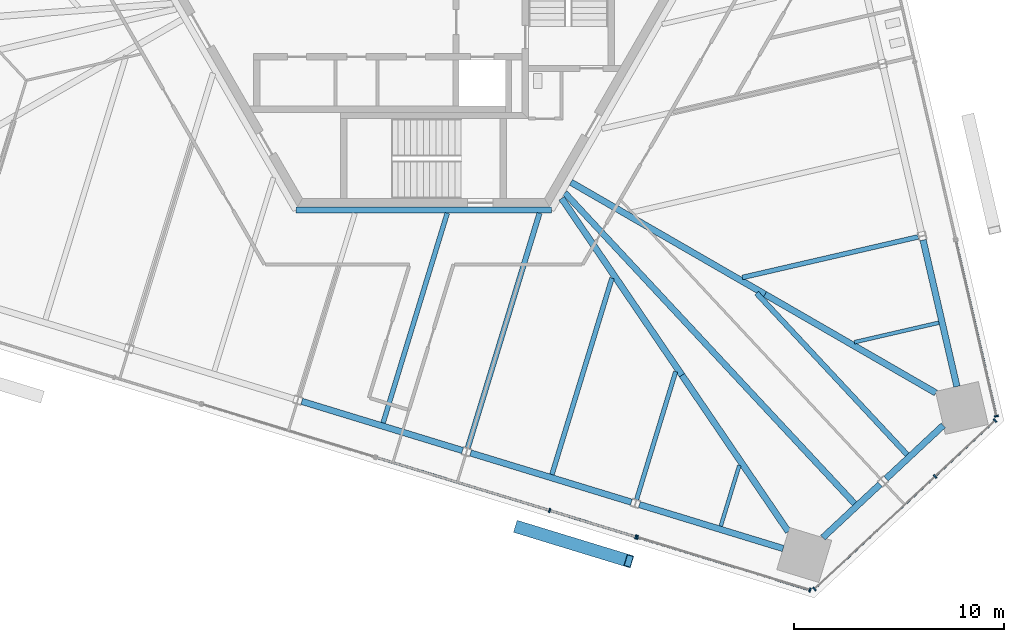
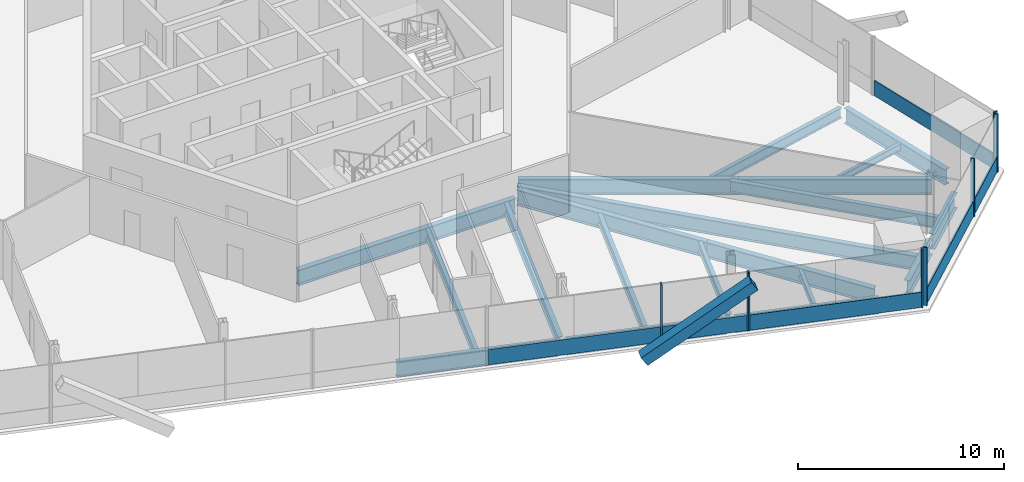
# One storey, part 5 of 17: 20 beams, 15 members, 4 elements without a shape of their own.
"""IFC4 building model written with IfcOpenShell, lengths in metres."""

import ifcopenshell
import ifcopenshell.guid

model = None  # the IFC model being written
_history = None  # IfcOwnerHistory: only IFC2X3 demands one
_inside = {}  # id of a spatial element -> (the spatial element, [elements in it])
_under = {}  # id of a project, library or spatial element -> (it, [spatial elements below it])
_declared = {}  # id of a project -> (the project, [libraries it declares])
_typed = {}  # id of a type object -> (the type object, [elements of that type])
_made_of = {}  # id of a material, layer set ... -> (it, [elements and type objects made of it])


def new_model(schema):
    """Start an empty IFC model of exactly this schema.

    Asked for "IFC4X3", IfcOpenShell would pick the latest addendum, in which some entities
    have other attributes; the version numbers below select the first issue.
    IFC2X3 requires an IfcOwnerHistory on every rooted entity: one is made here for all.
    """
    global model, _history
    if schema == "IFC4X3":
        model = ifcopenshell.file(schema_version=(4, 3, 0, 0))
    else:
        model = ifcopenshell.file(schema=schema)
    _inside.clear()
    _under.clear()
    _declared.clear()
    _typed.clear()
    _made_of.clear()
    _history = None
    if model.schema == "IFC2X3":
        org = make("IfcOrganization", Name="unknown")
        user = make(
            "IfcPersonAndOrganization",
            ThePerson=make("IfcPerson", FamilyName="unknown"),
            TheOrganization=org,
        )
        app = make(
            "IfcApplication",
            ApplicationDeveloper=org,
            Version="unknown",
            ApplicationFullName="unknown",
            ApplicationIdentifier="unknown",
        )
        _history = make(
            "IfcOwnerHistory",
            OwningUser=user,
            OwningApplication=app,
            ChangeAction="ADDED",
            CreationDate=0,
        )
    return model


def make(cls, **values):
    """One entity of the class cls with the attributes given. An attribute that is None is left unset."""
    return model.create_entity(
        cls, **{name: value for name, value in values.items() if value is not None}
    )


def rooted(cls, **values):
    """An entity with a GlobalId (a new one), such as an element, a storey or a relation."""
    return make(cls, GlobalId=ifcopenshell.guid.new(), OwnerHistory=_history, **values)


def si_unit(unit_type, name, prefix=None):
    """IfcSIUnit, for example si_unit("LENGTHUNIT", "METRE", prefix="MILLI")."""
    return make("IfcSIUnit", UnitType=unit_type, Prefix=prefix, Name=name)


def assignment(units):
    """IfcUnitAssignment: the units of a project."""
    return None if units is None else make("IfcUnitAssignment", Units=units)


def point(xyz):
    """IfcCartesianPoint."""
    return None if xyz is None else make("IfcCartesianPoint", Coordinates=xyz)


def direction(xyz):
    """IfcDirection."""
    return None if xyz is None else make("IfcDirection", DirectionRatios=xyz)


def frame(location, z_axis=None, x_axis=None):
    """IfcAxis2Placement3D, a coordinate frame: its origin and axes. An axis left out is left unset."""
    return make(
        "IfcAxis2Placement3D",
        Location=point(location),
        Axis=direction(z_axis),
        RefDirection=direction(x_axis),
    )


def frame_2d(location, x_axis=None):
    """IfcAxis2Placement2D, a coordinate frame in the plane: its origin and x axis."""
    return make(
        "IfcAxis2Placement2D", Location=point(location), RefDirection=direction(x_axis)
    )


def origin():
    """The frame at (0, 0, 0) with its axes left unset."""
    return frame((0.0, 0.0, 0.0))


def origin_2d():
    """The frame at (0, 0) in the plane with its x axis left unset."""
    return frame_2d((0.0, 0.0))


def place(relative_to, where):
    """IfcLocalPlacement: puts the frame where relative to a parent placement (None: the world)."""
    return make(
        "IfcLocalPlacement", PlacementRelTo=relative_to, RelativePlacement=where
    )


def context(
    kind, dimensions, precision=None, world=None, true_north=None, identifier=None
):
    """IfcGeometricRepresentationContext, for example the 3D "Model" context."""
    return make(
        "IfcGeometricRepresentationContext",
        ContextIdentifier=identifier,
        ContextType=kind,
        CoordinateSpaceDimension=dimensions,
        Precision=precision,
        WorldCoordinateSystem=world,
        TrueNorth=true_north,
    )


def subcontext(parent, identifier, kind, view, scale=None):
    """IfcGeometricRepresentationSubContext, for example "Body" below "Model"."""
    return make(
        "IfcGeometricRepresentationSubContext",
        ContextIdentifier=identifier,
        ContextType=kind,
        ParentContext=parent,
        TargetScale=scale,
        TargetView=view,
    )


def project(units=None, contexts=None):
    """IfcProject with its units and contexts."""
    return rooted(
        "IfcProject",
        Name="project",
        RepresentationContexts=contexts,
        UnitsInContext=assignment(units),
    )


def spatial(cls, under=None, at=None, **own):
    """A site, building, storey or space (cls), placed at a placement, below another one or the project."""
    s = rooted(cls, ObjectPlacement=at, **own)
    if under is not None:
        _under.setdefault(under.id(), (under, []))[1].append(s)
    return s


def profile(cls, at=None, kind="AREA", **sizes):
    """A parametric profile (cls). Its sizes go by their IFC names, for example OverallWidth=200.0."""
    return make(cls, ProfileType=kind, Position=at, **sizes)


def rectangle(**sizes):
    """IfcRectangleProfileDef."""
    return profile("IfcRectangleProfileDef", **sizes)


def hollow_rectangle(**sizes):
    """IfcRectangleHollowProfileDef."""
    return profile("IfcRectangleHollowProfileDef", **sizes)


def i_section(**sizes):
    """IfcIShapeProfileDef."""
    return profile("IfcIShapeProfileDef", **sizes)


def extrude(swept, where, along, depth):
    """IfcExtrudedAreaSolid: the profile swept, set in the frame where, extruded along a direction by depth."""
    return make(
        "IfcExtrudedAreaSolid",
        SweptArea=swept,
        Position=where,
        ExtrudedDirection=direction(along),
        Depth=depth,
    )


def shape(context_of_items, identifier, shape_type, items):
    """IfcShapeRepresentation: the items that make up one representation, for example the "Body"."""
    return make(
        "IfcShapeRepresentation",
        ContextOfItems=context_of_items,
        RepresentationIdentifier=identifier,
        RepresentationType=shape_type,
        Items=items,
    )


def source(mapping_origin, context_of_items, identifier, shape_type, items):
    """IfcRepresentationMap: a shape defined once, which mapped items show again and again."""
    return make(
        "IfcRepresentationMap",
        MappingOrigin=mapping_origin,
        MappedRepresentation=shape(context_of_items, identifier, shape_type, items),
    )


def transform(
    local_origin,
    x_axis=None,
    y_axis=None,
    z_axis=None,
    scale=None,
    scale2=None,
    scale3=None,
    uniform=True,
):
    """IfcCartesianTransformationOperator3D, or its non-uniform kind. x_axis, y_axis, z_axis: its Axis1, 2, 3."""
    if uniform:
        return make(
            "IfcCartesianTransformationOperator3D",
            Axis1=direction(x_axis),
            Axis2=direction(y_axis),
            LocalOrigin=point(local_origin),
            Scale=scale,
            Axis3=direction(z_axis),
        )
    return make(
        "IfcCartesianTransformationOperator3DnonUniform",
        Axis1=direction(x_axis),
        Axis2=direction(y_axis),
        LocalOrigin=point(local_origin),
        Scale=scale,
        Axis3=direction(z_axis),
        Scale2=scale2,
        Scale3=scale3,
    )


def mapped(mapping_source, mapping_target):
    """IfcMappedItem: shows the shape of a source again, moved by a transform."""
    return make(
        "IfcMappedItem", MappingSource=mapping_source, MappingTarget=mapping_target
    )


def material(Name=None, Category=None):
    """IfcMaterial."""
    return make("IfcMaterial", Name=Name, Category=Category)


def material_profile(
    of_material, cross_section, Name=None, Category=None, Priority=None
):
    """IfcMaterialProfile: a cross section and its material."""
    return make(
        "IfcMaterialProfile",
        Name=Name,
        Material=of_material,
        Profile=cross_section,
        Priority=Priority,
        Category=Category,
    )


def profile_set(profiles, Name=None, composite=None):
    """IfcMaterialProfileSet."""
    return make(
        "IfcMaterialProfileSet",
        Name=Name,
        MaterialProfiles=profiles,
        CompositeProfile=composite,
    )


def made_of(thing, what):
    """Note that an element or type object is made of a material, layer set ...; save() writes the relation."""
    if what is not None:
        _made_of.setdefault(what.id(), (what, []))[1].append(thing)
    return thing


def type_object(cls, material=None, **own):
    """A type object (cls), such as IfcWallType, which elements share."""
    return made_of(rooted(cls, **own), material)


def element(
    cls,
    number,
    at=None,
    inside=None,
    cuts=None,
    type_object=None,
    material=None,
    context=None,
    identifier="Body",
    shape_type=None,
    held_by="IfcProductDefinitionShape",
    body=None,
    shapes=None,
    **own,
):
    """One element of the class cls, such as IfcWall. Its Tag is "e" and its number.

    at: its placement. inside: the storey or other place that contains it. cuts: it is an
    opening in that element (IfcRelVoidsElement). A single representation is given by context,
    identifier, shape_type and body (its items); several are given by shapes. held_by: the class
    of the entity that holds the representations. save() writes the other relations.
    """
    e = rooted(cls, Tag="e%d" % number, ObjectPlacement=at, **own)
    if body is not None:
        shapes = [shape(context, identifier, shape_type, body)]
    if shapes is not None:
        e.Representation = make(held_by, Representations=shapes)
    if inside is not None:
        _inside.setdefault(inside.id(), (inside, []))[1].append(e)
    if cuts is not None:
        rooted(
            "IfcRelVoidsElement", RelatingBuildingElement=cuts, RelatedOpeningElement=e
        )
    if type_object is not None:
        _typed.setdefault(type_object.id(), (type_object, []))[1].append(e)
    return made_of(e, material)


def aggregate(whole, parts):
    """IfcRelAggregates: a whole, such as a stair, and the parts it consists of."""
    return rooted("IfcRelAggregates", RelatingObject=whole, RelatedObjects=parts)


def save(model, path):
    """Write the relations noted so far, then the file.

    IfcRelAggregates (storeys below a building ...), IfcRelContainedInSpatialStructure (elements
    in a storey), IfcRelDefinesByType, IfcRelAssociatesMaterial and IfcRelDeclares: one each for
    every whole, place, type object, material and project.
    """
    for whole, parts in _under.values():
        aggregate(whole, parts)
    for where, things in _inside.values():
        rooted(
            "IfcRelContainedInSpatialStructure",
            RelatedElements=things,
            RelatingStructure=where,
        )
    for kind, things in _typed.values():
        rooted("IfcRelDefinesByType", RelatedObjects=things, RelatingType=kind)
    for what, things in _made_of.values():
        rooted("IfcRelAssociatesMaterial", RelatedObjects=things, RelatingMaterial=what)
    for by, libraries in _declared.values():
        rooted("IfcRelDeclares", RelatingContext=by, RelatedDefinitions=libraries)
    model.write(path)


model = new_model("IFC4")

# Units and contexts
model_context = context("Model", 3, precision=1e-05, world=origin(), true_north=direction((0.0, 1.0)))
body_context = subcontext(model_context, "Body", "Model", "MODEL_VIEW")
ifc_project = project(units=[si_unit("LENGTHUNIT", "METRE"), si_unit("AREAUNIT", "SQUARE_METRE"), si_unit("VOLUMEUNIT", "CUBIC_METRE"), si_unit("PLANEANGLEUNIT", "RADIAN"), si_unit("MASSUNIT", "GRAM", prefix="KILO")], contexts=[model_context])

# Site, building, storey
site_placement = place(None, origin())
site = spatial("IfcSite", under=ifc_project, at=site_placement, CompositionType="ELEMENT")
building_placement = place(site_placement, origin())
building = spatial("IfcBuilding", under=site, at=building_placement, Name="Triune Harvest Tower", CompositionType="ELEMENT")
storey_placement = place(building_placement, frame((0.0, 0.0, 123.5)))
storey = spatial("IfcBuildingStorey", under=building, at=storey_placement, Name="L31", CompositionType="ELEMENT", Elevation=123.5)

# Curtain wall, member
ifc_material_1 = material(Name="Aluminium bronze anodised", Category="aluminium")
curtain_wall_type_1 = type_object("IfcCurtainWallType", Name="CW-1 Tower stick curtain wall", PredefinedType="NOTDEFINED", material=ifc_material_1)
curtain_wall_1_placement = place(storey_placement, origin())
curtain_wall_1 = element("IfcCurtainWall", 1, at=curtain_wall_1_placement, inside=storey, type_object=curtain_wall_type_1, Name="CW-1 B3-F5 L31 run 4001")
ifc_material_2 = material(Name="Aluminium bronze anodised", Category="aluminium")
ifc_material_profile_1 = material_profile(ifc_material_2, rectangle(XDim=0.090087890625, YDim=0.89990234375, at=origin_2d()), Name="TR-1 transom 90 x 900")
ifc_profile_set_1 = profile_set([ifc_material_profile_1], Name="Aluminium bronze anodised")
member_type_1 = type_object("IfcMemberType", Name="TR-1 transom 90 x 900", PredefinedType="USERDEFINED", material=ifc_profile_set_1)
member_1_placement = place(storey_placement, frame((10.2275390625, -26.157470703125, 0.449951171875), z_axis=(0.956307996175, -0.292361106256, 0.0), x_axis=(0.292361106256, 0.956307996175, 0.0)))
member_1 = element("IfcMember", 2, at=member_1_placement, type_object=member_type_1, Name="CW-1 transom B3-F5 4001.1", ObjectType="TRANSOM", PredefinedType="USERDEFINED", context=body_context, shape_type="SweptSolid", body=[
    extrude(rectangle(XDim=0.090087890625, YDim=0.89990234375, at=origin_2d()), origin(), (0.0, 0.0, 1.0), 8.52685546875),
])

# Beams
ifc_material_3 = material(Name="Steel ASTM A992 Gr 50", Category="steel")
ifc_material_profile_2 = material_profile(ifc_material_3, i_section(OverallWidth=0.3046875, OverallDepth=0.914306640625, WebThickness=0.0166015625, FlangeThickness=0.02587890625, at=origin_2d()), Name="W36x160")
ifc_profile_set_2 = profile_set([ifc_material_profile_2], Name="Steel ASTM A992 Gr 50")
beam_type_1 = type_object("IfcBeamType", Name="CG-1 Core ring girder W36x160", PredefinedType="BEAM", material=ifc_profile_set_2)
shared_shape_1 = source(origin(), body_context, "Body", "SweptSolid", [
    extrude(i_section(OverallWidth=0.3046875, OverallDepth=0.914306640625, WebThickness=0.0166015625, FlangeThickness=0.02587890625, at=origin_2d()), origin(), (0.0, 0.0, 1.0), 12.17578125),
])
beam_1_placement = place(storey_placement, frame((-6.087890625, -10.544677734375, -0.6171875), z_axis=(1.0, 0.0, 0.0), x_axis=(0.0, 1.0, 0.0)))
element("IfcBeam", 3, at=beam_1_placement, inside=storey, type_object=beam_type_1, Name="beam/L31/CG5", PredefinedType="BEAM", context=body_context, shape_type="MappedRepresentation", body=[
    mapped(shared_shape_1, transform((0.0, 0.0, 0.0), scale=1.0)),
])
ifc_material_4 = material(Name="Steel ASTM A992 Gr 50", Category="steel")
ifc_material_profile_3 = material_profile(ifc_material_4, i_section(OverallWidth=0.307373046875, OverallDepth=0.922119140625, WebThickness=0.018310546875, FlangeThickness=0.030029296875, at=origin_2d()), Name="W36x182")
ifc_profile_set_3 = profile_set([ifc_material_profile_3], Name="Steel ASTM A992 Gr 50")
beam_type_2 = type_object("IfcBeamType", Name="HG-2 Hip girder W36x182", PredefinedType="BEAM", material=ifc_profile_set_3)
shared_shape_2 = source(origin(), body_context, "Body", "SweptSolid", [
    extrude(i_section(OverallWidth=0.307373046875, OverallDepth=0.922119140625, WebThickness=0.018310546875, FlangeThickness=0.030029296875, at=origin_2d()), origin(), (0.0, 0.0, 1.0), 10.681640625),
])
beam_2_placement = place(storey_placement, frame((16.27587890625, -14.56640625, -0.62109375), z_axis=(-0.866023441189, 0.500003399299, 0.0), x_axis=(-0.500003399299, -0.866023441189, 0.0)))
element("IfcBeam", 4, at=beam_2_placement, inside=storey, type_object=beam_type_2, Name="beam/L31/HG2", PredefinedType="BEAM", context=body_context, shape_type="MappedRepresentation", body=[
    mapped(shared_shape_2, transform((0.0, 0.0, 0.0), scale=1.0)),
])
shared_shape_3 = source(origin(), body_context, "Body", "SweptSolid", [
    extrude(i_section(OverallWidth=0.307373046875, OverallDepth=0.922119140625, WebThickness=0.018310546875, FlangeThickness=0.030029296875, at=origin_2d()), origin(), (0.0, 0.0, 1.0), 10.194091796875),
])
beam_3_placement = place(storey_placement, frame((12.31640625, -18.4208984375, -0.62109375), z_axis=(-0.562397141719, 0.826867253545, 0.0), x_axis=(-0.826867253545, -0.562397141719, 0.0)))
element("IfcBeam", 5, at=beam_3_placement, inside=storey, type_object=beam_type_2, Name="beam/L31/HG8", PredefinedType="BEAM", context=body_context, shape_type="MappedRepresentation", body=[
    mapped(shared_shape_3, transform((0.0, 0.0, 0.0), scale=1.0)),
])
ifc_material_5 = material(Name="Steel ASTM A992 Gr 50", Category="steel")
ifc_material_profile_4 = material_profile(ifc_material_5, i_section(OverallWidth=0.3046875, OverallDepth=0.914306640625, WebThickness=0.0166015625, FlangeThickness=0.02587890625, at=origin_2d()), Name="W36x160")
ifc_profile_set_4 = profile_set([ifc_material_profile_4], Name="Steel ASTM A992 Gr 50")
beam_type_3 = type_object("IfcBeamType", Name="SB-1 Spandrel beam W36x160", PredefinedType="SPANDREL", material=ifc_profile_set_4)
shared_shape_4 = source(origin(), body_context, "Body", "SweptSolid", [
    extrude(i_section(OverallWidth=0.3046875, OverallDepth=0.914306640625, WebThickness=0.0166015625, FlangeThickness=0.02587890625, at=origin_2d()), origin(), (0.0, 0.0, 1.0), 7.166259765625),
])
beam_4_placement = place(storey_placement, frame((25.42236328125, -18.96044921875, -0.6171875), z_axis=(-0.224949077026, 0.974370521283, 0.0), x_axis=(-0.974370521283, -0.224949077026, 0.0)))
element("IfcBeam", 6, at=beam_4_placement, inside=storey, type_object=beam_type_3, Name="beam/L31/SB1", PredefinedType="SPANDREL", context=body_context, shape_type="MappedRepresentation", body=[
    mapped(shared_shape_4, transform((0.0, 0.0, 0.0), scale=1.0)),
])
shared_shape_5 = source(origin(), body_context, "Body", "SweptSolid", [
    extrude(i_section(OverallWidth=0.3046875, OverallDepth=0.914306640625, WebThickness=0.0166015625, FlangeThickness=0.02587890625, at=origin_2d()), origin(), (0.0, 0.0, 1.0), 8.018310546875),
])
beam_5_placement = place(storey_placement, frame((-5.805908203125, -19.66748046875, -0.6171875), z_axis=(0.956308069579, -0.292360866152, 0.0), x_axis=(0.292360866152, 0.956308069579, 0.0)))
element("IfcBeam", 7, at=beam_5_placement, inside=storey, type_object=beam_type_3, Name="beam/L31/SB20", PredefinedType="SPANDREL", context=body_context, shape_type="MappedRepresentation", body=[
    mapped(shared_shape_5, transform((0.0, 0.0, 0.0), scale=1.0)),
])
shared_shape_6 = source(origin(), body_context, "Body", "SweptSolid", [
    extrude(i_section(OverallWidth=0.3046875, OverallDepth=0.914306640625, WebThickness=0.0166015625, FlangeThickness=0.02587890625, at=origin_2d()), origin(), (0.0, 0.0, 1.0), 8.01806640625),
])
beam_6_placement = place(storey_placement, frame((2.240966796875, -22.127685546875, -0.6171875), z_axis=(0.956305466934, -0.292369379231, 0.0), x_axis=(0.292369379231, 0.956305466934, 0.0)))
element("IfcBeam", 8, at=beam_6_placement, inside=storey, type_object=beam_type_3, Name="beam/L31/SB21", PredefinedType="SPANDREL", context=body_context, shape_type="MappedRepresentation", body=[
    mapped(shared_shape_6, transform((0.0, 0.0, 0.0), scale=1.0)),
])
shared_shape_7 = source(origin(), body_context, "Body", "SweptSolid", [
    extrude(i_section(OverallWidth=0.3046875, OverallDepth=0.914306640625, WebThickness=0.0166015625, FlangeThickness=0.02587890625, at=origin_2d()), origin(), (0.0, 0.0, 1.0), 7.16650390625),
])
beam_7_placement = place(storey_placement, frame((10.287841796875, -24.587646484375, -0.6171875), z_axis=(0.956296811344, -0.292397689137, 0.0), x_axis=(0.292397689137, 0.956296811344, 0.0)))
element("IfcBeam", 9, at=beam_7_placement, inside=storey, type_object=beam_type_3, Name="beam/L31/SB22", PredefinedType="SPANDREL", context=body_context, shape_type="MappedRepresentation", body=[
    mapped(shared_shape_7, transform((0.0, 0.0, 0.0), scale=1.0)),
])
shared_shape_8 = source(origin(), body_context, "Body", "SweptSolid", [
    extrude(i_section(OverallWidth=0.3046875, OverallDepth=0.914306640625, WebThickness=0.0166015625, FlangeThickness=0.02587890625, at=origin_2d()), origin(), (0.0, 0.0, 1.0), 3.72607421875),
])
beam_8_placement = place(storey_placement, frame((19.03173828125, -26.1630859375, -0.6171875), z_axis=(0.731344988612, 0.682007703499, 0.0), x_axis=(-0.682007703499, 0.731344988612, 0.0)))
element("IfcBeam", 10, at=beam_8_placement, inside=storey, type_object=beam_type_3, Name="beam/L31/SB23", PredefinedType="SPANDREL", context=body_context, shape_type="MappedRepresentation", body=[
    mapped(shared_shape_8, transform((0.0, 0.0, 0.0), scale=1.0)),
])
shared_shape_9 = source(origin(), body_context, "Body", "SweptSolid", [
    extrude(i_section(OverallWidth=0.3046875, OverallDepth=0.914306640625, WebThickness=0.0166015625, FlangeThickness=0.02587890625, at=origin_2d()), origin(), (0.0, 0.0, 1.0), 3.726318359375),
])
beam_9_placement = place(storey_placement, frame((22.046630859375, -23.351806640625, -0.6171875), z_axis=(0.731375462482, 0.681975023647, 0.0), x_axis=(-0.681975023647, 0.731375462482, 0.0)))
element("IfcBeam", 11, at=beam_9_placement, inside=storey, type_object=beam_type_3, Name="beam/L31/SB24", PredefinedType="SPANDREL", context=body_context, shape_type="MappedRepresentation", body=[
    mapped(shared_shape_9, transform((0.0, 0.0, 0.0), scale=1.0)),
])
shared_shape_10 = source(origin(), body_context, "Body", "SweptSolid", [
    extrude(i_section(OverallWidth=0.307373046875, OverallDepth=0.922119140625, WebThickness=0.018310546875, FlangeThickness=0.030029296875, at=origin_2d()), origin(), (0.0, 0.0, 1.0), 9.3984375),
])
beam_10_placement = place(storey_placement, frame((24.415283203125, -19.265625, -0.62109375), z_axis=(-0.866028560268, 0.49999453277, 0.0), x_axis=(-0.49999453277, -0.866028560268, 0.0)))
element("IfcBeam", 12, at=beam_10_placement, inside=storey, type_object=beam_type_2, Name="beam/L31/HG1", PredefinedType="BEAM", context=body_context, shape_type="MappedRepresentation", body=[
    mapped(shared_shape_10, transform((0.0, 0.0, 0.0), scale=1.0)),
])
shared_shape_11 = source(origin(), body_context, "Body", "SweptSolid", [
    extrude(i_section(OverallWidth=0.307373046875, OverallDepth=0.922119140625, WebThickness=0.018310546875, FlangeThickness=0.030029296875, at=origin_2d()), origin(), (0.0, 0.0, 1.0), 9.0166015625),
])
beam_11_placement = place(storey_placement, frame((17.3876953125, -25.876220703125, -0.62109375), z_axis=(-0.562436658991, 0.826840374331, 0.0), x_axis=(-0.826840374331, -0.562436658991, 0.0)))
element("IfcBeam", 13, at=beam_11_placement, inside=storey, type_object=beam_type_2, Name="beam/L31/HG7", PredefinedType="BEAM", context=body_context, shape_type="MappedRepresentation", body=[
    mapped(shared_shape_11, transform((0.0, 0.0, 0.0), scale=1.0)),
])
ifc_material_6 = material(Name="Steel ASTM A992 Gr 50", Category="steel")
ifc_material_profile_5 = material_profile(ifc_material_6, i_section(OverallWidth=0.180908203125, OverallDepth=0.41650390625, WebThickness=0.010986328125, FlangeThickness=0.01806640625, at=origin_2d()), Name="W16x57")
ifc_profile_set_5 = profile_set([ifc_material_profile_5], Name="Steel ASTM A992 Gr 50")
beam_type_4 = type_object("IfcBeamType", Name="JT-1 Floor joist W16x57", PredefinedType="JOIST", material=ifc_profile_set_5)
shared_shape_12 = source(origin(), body_context, "Body", "SweptSolid", [
    extrude(i_section(OverallWidth=0.180908203125, OverallDepth=0.41650390625, WebThickness=0.010986328125, FlangeThickness=0.01806640625, at=origin_2d()), origin(), (0.0, 0.0, 1.0), 4.1337890625),
])
beam_12_placement = place(storey_placement, frame((24.563720703125, -15.91845703125, -0.368408203125), z_axis=(-0.974368296684, -0.224958712697, 0.0), x_axis=(0.224958712697, -0.974368296684, 0.0)))
element("IfcBeam", 14, at=beam_12_placement, inside=storey, type_object=beam_type_4, Name="beam/L31/JT1", PredefinedType="JOIST", context=body_context, shape_type="MappedRepresentation", body=[
    mapped(shared_shape_12, transform((0.0, 0.0, 0.0), scale=1.0)),
])
ifc_material_7 = material(Name="Steel ASTM A992 Gr 50", Category="steel")
ifc_material_profile_6 = material_profile(ifc_material_7, i_section(OverallWidth=0.22900390625, OverallDepth=0.612060546875, WebThickness=0.011962890625, FlangeThickness=0.01953125, at=origin_2d()), Name="W24x84")
ifc_profile_set_6 = profile_set([ifc_material_profile_6], Name="Steel ASTM A992 Gr 50")
beam_type_5 = type_object("IfcBeamType", Name="JT-3 Floor joist W24x84", PredefinedType="JOIST", material=ifc_profile_set_6)
shared_shape_13 = source(origin(), body_context, "Body", "SweptSolid", [
    extrude(i_section(OverallWidth=0.22900390625, OverallDepth=0.612060546875, WebThickness=0.011962890625, FlangeThickness=0.01953125, at=origin_2d()), origin(), (0.0, 0.0, 1.0), 8.607421875),
])
beam_13_placement = place(storey_placement, frame((23.580078125, -11.82763671875, -0.466064453125), z_axis=(-0.97436872252, -0.224956868255, 0.0), x_axis=(0.224956868255, -0.97436872252, 0.0)))
element("IfcBeam", 15, at=beam_13_placement, inside=storey, type_object=beam_type_5, Name="beam/L31/JT2", PredefinedType="JOIST", context=body_context, shape_type="MappedRepresentation", body=[
    mapped(shared_shape_13, transform((0.0, 0.0, 0.0), scale=1.0)),
])
shared_shape_14 = source(origin(), body_context, "Body", "SweptSolid", [
    extrude(i_section(OverallWidth=0.22900390625, OverallDepth=0.612060546875, WebThickness=0.011962890625, FlangeThickness=0.01953125, at=origin_2d()), origin(), (0.0, 0.0, 1.0), 10.45361328125),
])
beam_14_placement = place(storey_placement, frame((-1.92724609375, -20.69384765625, -0.466064453125), z_axis=(0.29235559587, 0.956309680785, 0.0), x_axis=(-0.956309680785, 0.29235559587, 0.0)))
element("IfcBeam", 16, at=beam_14_placement, inside=storey, type_object=beam_type_5, Name="beam/L31/JT33", PredefinedType="JOIST", context=body_context, shape_type="MappedRepresentation", body=[
    mapped(shared_shape_14, transform((0.0, 0.0, 0.0), scale=1.0)),
])
shared_shape_15 = source(origin(), body_context, "Body", "SweptSolid", [
    extrude(i_section(OverallWidth=0.22900390625, OverallDepth=0.612060546875, WebThickness=0.011962890625, FlangeThickness=0.01953125, at=origin_2d()), origin(), (0.0, 0.0, 1.0), 9.790283203125),
])
beam_15_placement = place(storey_placement, frame((6.119384765625, -23.154052734375, -0.466064453125), z_axis=(0.292383884863, 0.956301032036, 0.0), x_axis=(-0.956301032036, 0.292383884863, 0.0)))
element("IfcBeam", 17, at=beam_15_placement, inside=storey, type_object=beam_type_5, Name="beam/L31/JT35", PredefinedType="JOIST", context=body_context, shape_type="MappedRepresentation", body=[
    mapped(shared_shape_15, transform((0.0, 0.0, 0.0), scale=1.0)),
])
ifc_material_8 = material(Name="Steel ASTM A992 Gr 50", Category="steel")
ifc_material_profile_7 = material_profile(ifc_material_8, i_section(OverallWidth=0.253662109375, OverallDepth=0.683349609375, WebThickness=0.012451171875, FlangeThickness=0.01904296875, at=origin_2d()), Name="W27x94")
ifc_profile_set_7 = profile_set([ifc_material_profile_7], Name="Steel ASTM A992 Gr 50")
beam_type_6 = type_object("IfcBeamType", Name="JT-4 Floor joist W27x94", PredefinedType="JOIST", material=ifc_profile_set_7)
shared_shape_16 = source(origin(), body_context, "Body", "SweptSolid", [
    extrude(i_section(OverallWidth=0.253662109375, OverallDepth=0.683349609375, WebThickness=0.012451171875, FlangeThickness=0.01904296875, at=origin_2d()), origin(), (0.0, 0.0, 1.0), 11.70166015625),
])
beam_16_placement = place(storey_placement, frame((2.107177734375, -21.887451171875, -0.501708984375), z_axis=(0.292381788251, 0.956301673061, 0.0), x_axis=(-0.956301673061, 0.292381788251, 0.0)))
element("IfcBeam", 18, at=beam_16_placement, inside=storey, type_object=beam_type_6, Name="beam/L31/JT34", PredefinedType="JOIST", context=body_context, shape_type="MappedRepresentation", body=[
    mapped(shared_shape_16, transform((0.0, 0.0, 0.0), scale=1.0)),
])
ifc_material_9 = material(Name="Steel ASTM A992 Gr 50", Category="steel")
ifc_material_profile_8 = material_profile(ifc_material_9, i_section(OverallWidth=0.2099609375, OverallDepth=0.535888671875, WebThickness=0.010986328125, FlangeThickness=0.017333984375, at=origin_2d()), Name="W21x68")
ifc_profile_set_8 = profile_set([ifc_material_profile_8], Name="Steel ASTM A992 Gr 50")
beam_type_7 = type_object("IfcBeamType", Name="JT-2 Floor joist W21x68", PredefinedType="JOIST", material=ifc_profile_set_8)
shared_shape_17 = source(origin(), body_context, "Body", "SweptSolid", [
    extrude(i_section(OverallWidth=0.2099609375, OverallDepth=0.535888671875, WebThickness=0.010986328125, FlangeThickness=0.017333984375, at=origin_2d()), origin(), (0.0, 0.0, 1.0), 6.3720703125),
])
beam_17_placement = place(storey_placement, frame((10.154052734375, -24.34765625, -0.427978515625), z_axis=(0.292370379947, 0.956305160986, 0.0), x_axis=(-0.956305160986, 0.292370379947, 0.0)))
element("IfcBeam", 19, at=beam_17_placement, inside=storey, type_object=beam_type_7, Name="beam/L31/JT36", PredefinedType="JOIST", context=body_context, shape_type="MappedRepresentation", body=[
    mapped(shared_shape_17, transform((0.0, 0.0, 0.0), scale=1.0)),
])
ifc_material_10 = material(Name="Steel ASTM A992 Gr 50", Category="steel")
ifc_material_profile_9 = material_profile(ifc_material_10, i_section(OverallWidth=0.2919921875, OverallDepth=0.8583984375, WebThickness=0.01708984375, FlangeThickness=0.031005859375, at=origin_2d()), Name="W33x169")
ifc_profile_set_9 = profile_set([ifc_material_profile_9], Name="Steel ASTM A992 Gr 50")
beam_type_8 = type_object("IfcBeamType", Name="JT-7 Floor joist W33x169", PredefinedType="JOIST", material=ifc_profile_set_9)
shared_shape_18 = source(origin(), body_context, "Body", "SweptSolid", [
    extrude(i_section(OverallWidth=0.2919921875, OverallDepth=0.8583984375, WebThickness=0.01708984375, FlangeThickness=0.031005859375, at=origin_2d()), origin(), (0.0, 0.0, 1.0), 20.25244140625),
])
beam_18_placement = place(storey_placement, frame((20.545654296875, -24.54296875, -0.58935546875), z_axis=(-0.681993474081, 0.73135825784, 0.0), x_axis=(-0.73135825784, -0.681993474081, 0.0)))
element("IfcBeam", 20, at=beam_18_placement, inside=storey, type_object=beam_type_8, Name="beam/L31/JT38", PredefinedType="JOIST", context=body_context, shape_type="MappedRepresentation", body=[
    mapped(shared_shape_18, transform((0.0, 0.0, 0.0), scale=1.0)),
])
shared_shape_19 = source(origin(), body_context, "Body", "SweptSolid", [
    extrude(i_section(OverallWidth=0.253662109375, OverallDepth=0.683349609375, WebThickness=0.012451171875, FlangeThickness=0.01904296875, at=origin_2d()), origin(), (0.0, 0.0, 1.0), 10.52294921875),
])
beam_19_placement = place(storey_placement, frame((23.05029296875, -22.20751953125, -0.501708984375), z_axis=(-0.682013989315, 0.731339126793, 0.0), x_axis=(-0.731339126793, -0.682013989315, 0.0)))
element("IfcBeam", 21, at=beam_19_placement, inside=storey, type_object=beam_type_6, Name="beam/L31/JT39", PredefinedType="JOIST", context=body_context, shape_type="MappedRepresentation", body=[
    mapped(shared_shape_19, transform((0.0, 0.0, 0.0), scale=1.0)),
])
shared_shape_20 = source(origin(), body_context, "Body", "SweptSolid", [
    extrude(i_section(OverallWidth=0.180908203125, OverallDepth=0.41650390625, WebThickness=0.010986328125, FlangeThickness=0.01806640625, at=origin_2d()), origin(), (0.0, 0.0, 1.0), 3.030029296875),
])
beam_20_placement = place(storey_placement, frame((14.166259765625, -25.614013671875, -0.368408203125), z_axis=(0.2923925234, 0.956298390807, 0.0), x_axis=(-0.956298390807, 0.2923925234, 0.0)))
element("IfcBeam", 22, at=beam_20_placement, inside=storey, type_object=beam_type_4, Name="beam/L31/JT37", PredefinedType="JOIST", context=body_context, shape_type="MappedRepresentation", body=[
    mapped(shared_shape_20, transform((0.0, 0.0, 0.0), scale=1.0)),
])

# Member
ifc_material_11 = material(Name="Steel ASTM A572 Gr 50", Category="steel")
ifc_material_profile_10 = material_profile(ifc_material_11, hollow_rectangle(XDim=0.60009765625, YDim=0.60009765625, WallThickness=0.0400390625, at=origin_2d()), Name="Box 600x600x40")
ifc_profile_set_10 = profile_set([ifc_material_profile_10], Name="Steel ASTM A572 Gr 50")
member_type_2 = type_object("IfcMemberType", Name="BR-2 Brace Box 600x600x40", PredefinedType="BRACE", material=ifc_profile_set_10)
shared_shape_21 = source(origin(), body_context, "Body", "SweptSolid", [
    extrude(hollow_rectangle(XDim=0.60009765625, YDim=0.60009765625, WallThickness=0.0400390625, at=origin_2d()), origin(), (0.0, 0.0, 1.0), 6.566650390625),
])
member_2_placement = place(storey_placement, frame((4.53271484375, -25.671142578125, 0.0), z_axis=(0.799767909278, -0.244529475121, 0.548248690912), x_axis=(0.292389077488, 0.956299444403, 0.0)))
element("IfcMember", 23, at=member_2_placement, inside=storey, type_object=member_type_2, Name="brace/B3-F5/d1/8", PredefinedType="BRACE", context=body_context, shape_type="MappedRepresentation", body=[
    mapped(shared_shape_21, transform((0.0, 0.0, 0.0), scale=1.0)),
])

# Curtain wall, member
curtain_wall_2_placement = place(storey_placement, origin())
curtain_wall_2 = element("IfcCurtainWall", 24, at=curtain_wall_2_placement, inside=storey, type_object=curtain_wall_type_1, Name="CW-1 B3-F1 L31 run 1")
ifc_material_12 = material(Name="Aluminium bronze anodised", Category="aluminium")
ifc_material_profile_11 = material_profile(ifc_material_12, rectangle(XDim=0.199951171875, YDim=0.074951171875, at=origin_2d()), Name="MU-1 mullion 75 x 200")
ifc_profile_set_11 = profile_set([ifc_material_profile_11], Name="Aluminium bronze anodised")
member_type_3 = type_object("IfcMemberType", Name="MU-1 mullion 75 x 200", PredefinedType="MULLION", material=ifc_profile_set_11)
shared_shape_22 = source(origin(), body_context, "Body", "SweptSolid", [
    extrude(rectangle(XDim=0.199951171875, YDim=0.074951171875, at=origin_2d()), origin(), (0.0, 0.0, 1.0), 3.43994140625),
])
member_3_placement = place(storey_placement, frame((27.306884765625, -20.3720703125, 0.0), z_axis=(0.0, 0.0, 1.0), x_axis=(-0.974369461134, -0.224953669027, 0.0)))
member_3 = element("IfcMember", 25, at=member_3_placement, type_object=member_type_3, Name="CW-1 mullion B3-F1 1.1", PredefinedType="MULLION", context=body_context, shape_type="MappedRepresentation", body=[
    mapped(shared_shape_22, transform((0.0, 0.0, 0.0), scale=1.0)),
])

# Curtain wall, members
ifc_material_13 = material(Name="Aluminium bronze anodised", Category="aluminium")
curtain_wall_type_2 = type_object("IfcCurtainWallType", Name="CW-7 Tower stick curtain wall with insulated spandrel infill", PredefinedType="NOTDEFINED", material=ifc_material_13)
curtain_wall_3_placement = place(storey_placement, origin())
curtain_wall_3 = element("IfcCurtainWall", 26, at=curtain_wall_3_placement, inside=storey, type_object=curtain_wall_type_2, Name="CW-7 B3-F5 L31 run 3001")
member_4_placement = place(storey_placement, frame((6.007080078125, -24.8671875, 0.0), z_axis=(0.0, 0.0, 1.0), x_axis=(0.292368447621, 0.956305751753, 0.0)))
member_4 = element("IfcMember", 27, at=member_4_placement, type_object=member_type_3, Name="CW-7 mullion B3-F5 3001.3", PredefinedType="MULLION", context=body_context, shape_type="MappedRepresentation", body=[
    mapped(shared_shape_22, transform((0.0, 0.0, 0.0), scale=1.0)),
])
member_5_placement = place(storey_placement, frame((10.1201171875, -26.12451171875, 0.0), z_axis=(0.0, 0.0, 1.0), x_axis=(0.292368447621, 0.956305751753, 0.0)))
member_5 = element("IfcMember", 28, at=member_5_placement, type_object=member_type_3, Name="CW-7 mullion B3-F5 3001.4", PredefinedType="MULLION", context=body_context, shape_type="MappedRepresentation", body=[
    mapped(shared_shape_22, transform((0.0, 0.0, 0.0), scale=1.0)),
])

# Member
member_6_placement = place(storey_placement, frame((10.191650390625, -26.146484375, 0.0), z_axis=(0.0, 0.0, 1.0), x_axis=(0.292376502084, 0.956303289249, 0.0)))
member_6 = element("IfcMember", 29, at=member_6_placement, type_object=member_type_3, Name="CW-1 mullion B3-F5 4001.1", PredefinedType="MULLION", context=body_context, shape_type="MappedRepresentation", body=[
    mapped(shared_shape_22, transform((0.0, 0.0, 0.0), scale=1.0)),
])

member_7_placement = place(storey_placement, frame((18.417724609375, -28.661376953125, 0.0), z_axis=(0.0, 0.0, 1.0), x_axis=(0.292376502084, 0.956303289249, 0.0)))
member_7 = element("IfcMember", 30, at=member_7_placement, type_object=member_type_3, Name="CW-1 mullion B3-F5 4001.3", PredefinedType="MULLION", context=body_context, shape_type="MappedRepresentation", body=[
    mapped(shared_shape_22, transform((0.0, 0.0, 0.0), scale=1.0)),
])

aggregate(curtain_wall_1, [member_6, member_7, member_1])

# Curtain wall, members
curtain_wall_4_placement = place(storey_placement, origin())
curtain_wall_4 = element("IfcCurtainWall", 31, at=curtain_wall_4_placement, inside=storey, type_object=curtain_wall_type_1, Name="CW-1 B3-F6 L31 run 1")
member_8_placement = place(storey_placement, frame((18.6328125, -28.61181640625, 0.0), z_axis=(0.0, 0.0, 1.0), x_axis=(-0.682002387287, 0.731349946151, 0.0)))
member_8 = element("IfcMember", 32, at=member_8_placement, type_object=member_type_3, Name="CW-1 mullion B3-F6 1.1", PredefinedType="MULLION", context=body_context, shape_type="MappedRepresentation", body=[
    mapped(shared_shape_22, transform((0.0, 0.0, 0.0), scale=1.0)),
])
member_9_placement = place(storey_placement, frame((24.381591796875, -23.2509765625, 0.0), z_axis=(0.0, 0.0, 1.0), x_axis=(-0.682002387287, 0.731349946151, 0.0)))
member_9 = element("IfcMember", 33, at=member_9_placement, type_object=member_type_3, Name="CW-1 mullion B3-F6 1.3", PredefinedType="MULLION", context=body_context, shape_type="MappedRepresentation", body=[
    mapped(shared_shape_22, transform((0.0, 0.0, 0.0), scale=1.0)),
])
member_10_placement = place(storey_placement, frame((27.2421875, -20.583251953125, 0.0), z_axis=(0.0, 0.0, 1.0), x_axis=(-0.682002387287, 0.731349946151, 0.0)))
member_10 = element("IfcMember", 34, at=member_10_placement, type_object=member_type_3, Name="CW-1 mullion B3-F6 1.4", PredefinedType="MULLION", context=body_context, shape_type="MappedRepresentation", body=[
    mapped(shared_shape_22, transform((0.0, 0.0, 0.0), scale=1.0)),
])
shared_shape_23 = source(origin(), body_context, "Body", "SweptSolid", [
    extrude(rectangle(XDim=0.090087890625, YDim=0.89990234375, at=origin_2d()), origin(), (0.0, 0.0, 1.0), 7.78564453125),
])
member_11_placement = place(storey_placement, frame((18.66015625, -28.586181640625, 0.449951171875), z_axis=(0.731354473546, 0.681997532271, 0.0), x_axis=(-0.681997532271, 0.731354473546, 0.0)))
member_11 = element("IfcMember", 35, at=member_11_placement, type_object=member_type_1, Name="CW-1 transom B3-F6 1.1", ObjectType="TRANSOM", PredefinedType="USERDEFINED", context=body_context, shape_type="MappedRepresentation", body=[
    mapped(shared_shape_23, transform((0.0, 0.0, 0.0), scale=1.0)),
])
shared_shape_24 = source(origin(), body_context, "Body", "SweptSolid", [
    extrude(rectangle(XDim=0.090087890625, YDim=0.89990234375, at=origin_2d()), origin(), (0.0, 0.0, 1.0), 3.83642578125),
])
member_12_placement = place(storey_placement, frame((24.408935546875, -23.225341796875, 0.449951171875), z_axis=(0.73136626704, 0.681984885049, 0.0), x_axis=(-0.681984885049, 0.73136626704, 0.0)))
member_12 = element("IfcMember", 36, at=member_12_placement, type_object=member_type_1, Name="CW-1 transom B3-F6 1.2", ObjectType="TRANSOM", PredefinedType="USERDEFINED", context=body_context, shape_type="MappedRepresentation", body=[
    mapped(shared_shape_24, transform((0.0, 0.0, 0.0), scale=1.0)),
])
aggregate(curtain_wall_4, [member_8, member_9, member_10, member_11, member_12])

# Member
shared_shape_25 = source(origin(), body_context, "Body", "SweptSolid", [
    extrude(rectangle(XDim=0.090087890625, YDim=0.89990234375, at=origin_2d()), origin(), (0.0, 0.0, 1.0), 8.564208984375),
])
member_13_placement = place(storey_placement, frame((-2.21875, -22.352294921875, 0.449951171875), z_axis=(0.956305086263, -0.292370624358, 0.0), x_axis=(0.292370624358, 0.956305086263, 0.0)))
member_13 = element("IfcMember", 37, at=member_13_placement, type_object=member_type_1, Name="CW-7 transom B3-F5 3001.1", ObjectType="TRANSOM", PredefinedType="USERDEFINED", context=body_context, shape_type="MappedRepresentation", body=[
    mapped(shared_shape_25, transform((0.0, 0.0, 0.0), scale=1.0)),
])

shared_shape_26 = source(origin(), body_context, "Body", "SweptSolid", [
    extrude(rectangle(XDim=0.090087890625, YDim=0.89990234375, at=origin_2d()), origin(), (0.0, 0.0, 1.0), 4.225830078125),
])
member_14_placement = place(storey_placement, frame((6.04296875, -24.878173828125, 0.449951171875), z_axis=(0.956317031021, -0.292331551801, 0.0), x_axis=(0.292331551801, 0.956317031021, 0.0)))
member_14 = element("IfcMember", 38, at=member_14_placement, type_object=member_type_1, Name="CW-7 transom B3-F5 3001.2", ObjectType="TRANSOM", PredefinedType="USERDEFINED", context=body_context, shape_type="MappedRepresentation", body=[
    mapped(shared_shape_26, transform((0.0, 0.0, 0.0), scale=1.0)),
])

aggregate(curtain_wall_3, [member_4, member_5, member_13, member_14])

shared_shape_27 = source(origin(), body_context, "Body", "SweptSolid", [
    extrude(rectangle(XDim=0.090087890625, YDim=0.89990234375, at=origin_2d()), origin(), (0.0, 0.0, 1.0), 8.526611328125),
])
member_15_placement = place(storey_placement, frame((27.29833984375, -20.33544921875, 0.449951171875), z_axis=(-0.224938969906, 0.974372854619, 0.0), x_axis=(-0.974372854619, -0.224938969906, 0.0)))
member_15 = element("IfcMember", 39, at=member_15_placement, type_object=member_type_1, Name="CW-1 transom B3-F1 1.1", ObjectType="TRANSOM", PredefinedType="USERDEFINED", context=body_context, shape_type="MappedRepresentation", body=[
    mapped(shared_shape_27, transform((0.0, 0.0, 0.0), scale=1.0)),
])

aggregate(curtain_wall_2, [member_3, member_15])

save(model, "model.ifc")
